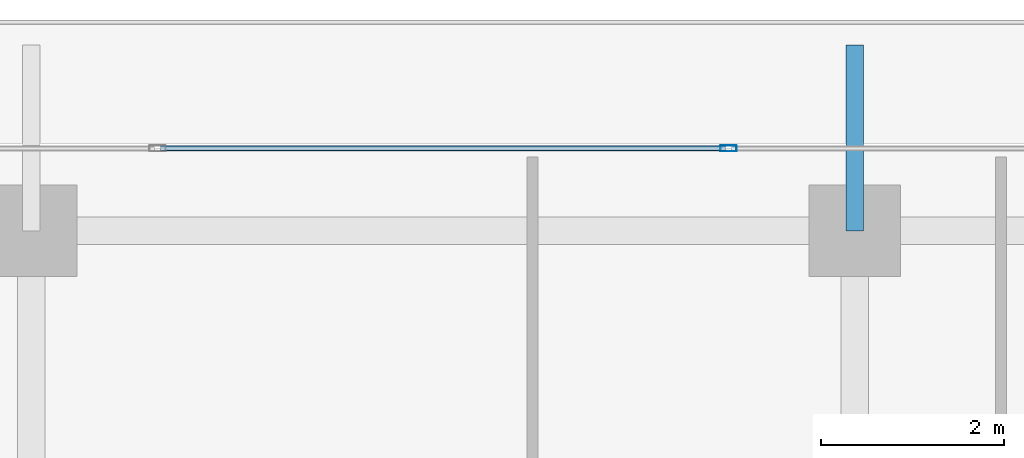
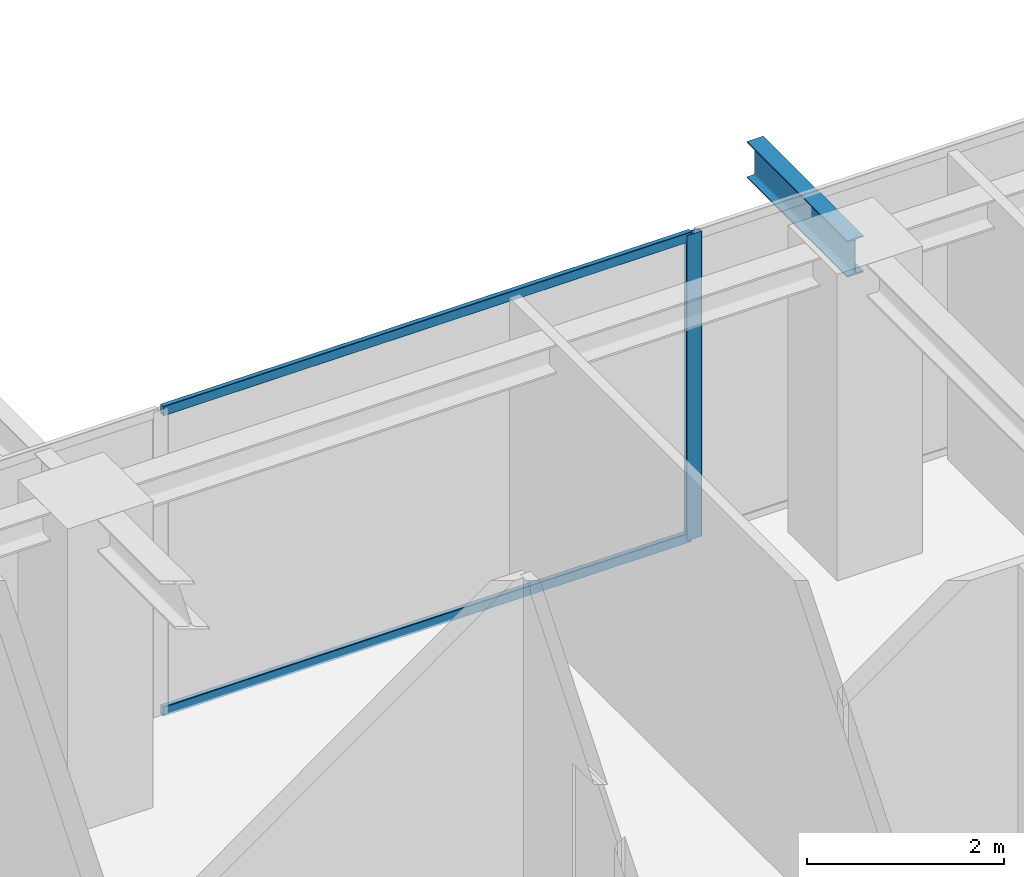
# One storey, part 22 of 38: 3 members, 1 beam, 1 element without a shape of its own.
"""IFC4 building model written with IfcOpenShell, lengths in metres."""

from ifc_helpers import new_model, si_unit, direction, frame, origin, origin_2d, place, context, subcontext, project, spatial, hollow_rectangle, i_section, extrude, source, transform, mapped, material, layer, layer_set, material_profile, profile_set, type_object, element, aggregate, save


model = new_model("IFC4")

# Units and contexts
model_context = context("Model", 3, precision=1e-05, world=origin(), true_north=direction((0.0, 1.0)))
body_context = subcontext(model_context, "Body", "Model", "MODEL_VIEW")
ifc_project = project(units=[si_unit("LENGTHUNIT", "METRE"), si_unit("AREAUNIT", "SQUARE_METRE"), si_unit("VOLUMEUNIT", "CUBIC_METRE"), si_unit("PLANEANGLEUNIT", "RADIAN"), si_unit("MASSUNIT", "GRAM", prefix="KILO")], contexts=[model_context])

# Site, building, storey
site_placement = place(None, origin())
site = spatial("IfcSite", under=ifc_project, at=site_placement, CompositionType="ELEMENT")
building_placement = place(site_placement, origin())
building = spatial("IfcBuilding", under=site, at=building_placement, Name="Serunith Strait Residences", CompositionType="ELEMENT")
storey_placement = place(building_placement, frame((0.0, 0.0, 321.800048828125)))
storey = spatial("IfcBuildingStorey", under=building, at=storey_placement, Name="L80", CompositionType="ELEMENT", Elevation=321.800048828125)

# Beam
ifc_material_1 = material(Name="Steel S355J2", Category="steel")
ifc_material_profile_1 = material_profile(ifc_material_1, i_section(OverallWidth=0.18994140625, OverallDepth=0.449951171875, WebThickness=0.009521484375, FlangeThickness=0.0146484375, FilletRadius=0.02099609375, at=origin_2d()), Name="IPE 450")
ifc_profile_set_1 = profile_set([ifc_material_profile_1], Name="Steel S355J2")
beam_type = type_object("IfcBeamType", Name="BM-IPE450", PredefinedType="JOIST", material=ifc_profile_set_1)
shared_shape_1 = source(origin(), body_context, "Body", "SweptSolid", [
    extrude(i_section(OverallWidth=0.18994140625, OverallDepth=0.449951171875, WebThickness=0.009521484375, FlangeThickness=0.0146484375, FilletRadius=0.02099609375, at=origin_2d()), origin(), (0.0, 0.0, 1.0), 2.02978515625),
])
beam_placement = place(storey_placement, frame((36.89990234375, 47.10009765625, 3.531982421875), z_axis=(0.0, 1.0, 0.0), x_axis=(-1.0, 0.0, 0.0)))
element("IfcBeam", 1, at=beam_placement, inside=storey, type_object=beam_type, Name="L81 Cantilevered Balcony Rib TC-N3", PredefinedType="JOIST", context=body_context, shape_type="MappedRepresentation", body=[
    mapped(shared_shape_1, transform((0.0, 0.0, 0.0), scale=1.0)),
])

# Curtain wall, members
ifc_material_2 = material(Name="Brushed Stainless-Silver Aluminium", Category="aluminium")
ifc_layer = layer(ifc_material_2, 0.199951171875, Name="Brushed Stainless-Silver Aluminium")
ifc_layer_set = layer_set([ifc_layer], Name="Brushed Stainless-Silver Aluminium")
curtain_wall_type = type_object("IfcCurtainWallType", Name="CW-SYS5", PredefinedType="NOTDEFINED", material=ifc_layer_set)
curtain_wall_placement = place(storey_placement, origin())
curtain_wall = element("IfcCurtainWall", 2, at=curtain_wall_placement, inside=storey, type_object=curtain_wall_type, Name="L80 N Unitised Fritted Curtain Wall", PredefinedType="NOTDEFINED")
ifc_material_profile_2 = material_profile(ifc_material_2, hollow_rectangle(XDim=0.06005859375, YDim=0.1201171875, WallThickness=0.00341796875, InnerFilletRadius=0.00537109375, OuterFilletRadius=0.0087890625, at=origin_2d()), Name="ALU 120x60x3.5")
ifc_profile_set_2 = profile_set([ifc_material_profile_2], Name="Brushed Stainless-Silver Aluminium")
member_type_1 = type_object("IfcMemberType", Name="CW-SYS5-TRAN", PredefinedType="USERDEFINED", material=ifc_profile_set_2)
shared_shape_2 = source(origin(), body_context, "Body", "SweptSolid", [
    extrude(hollow_rectangle(XDim=0.06005859375, YDim=0.1201171875, WallThickness=0.00341796875, InnerFilletRadius=0.00537109375, OuterFilletRadius=0.0087890625, at=origin_2d()), origin(), (0.0, 0.0, 1.0), 6.175048828125),
])
member_1_placement = place(storey_placement, frame((35.487548828125, 48.0, 0.030029296875), z_axis=(-1.0, 0.0, 0.0), x_axis=(0.0, -1.0, 0.0)))
member_1 = element("IfcMember", 3, at=member_1_placement, type_object=member_type_1, Name="CW-5 transom 3.1", ObjectType="TRANSOM", PredefinedType="USERDEFINED", context=body_context, shape_type="MappedRepresentation", body=[
    mapped(shared_shape_2, transform((0.0, 0.0, 0.0), scale=1.0)),
])
member_2_placement = place(storey_placement, frame((35.487548828125, 48.0, 3.744873046875), z_axis=(-1.0, 0.0, 0.0), x_axis=(0.0, -1.0, 0.0)))
member_2 = element("IfcMember", 4, at=member_2_placement, type_object=member_type_1, Name="CW-5 transom 3.2", ObjectType="TRANSOM", PredefinedType="USERDEFINED", context=body_context, shape_type="MappedRepresentation", body=[
    mapped(shared_shape_2, transform((0.0, 0.0, 0.0), scale=1.0)),
])
ifc_material_profile_3 = material_profile(ifc_material_2, hollow_rectangle(XDim=0.06494140625, YDim=0.179931640625, WallThickness=0.00341796875, InnerFilletRadius=0.00537109375, OuterFilletRadius=0.0087890625, at=origin_2d()), Name="ALU 180x65x3.5")
ifc_profile_set_3 = profile_set([ifc_material_profile_3], Name="Brushed Stainless-Silver Aluminium")
member_type_2 = type_object("IfcMemberType", Name="CW-SYS5-MULL", PredefinedType="MULLION", material=ifc_profile_set_3)
shared_shape_3 = source(origin(), body_context, "Body", "SweptSolid", [
    extrude(hollow_rectangle(XDim=0.06494140625, YDim=0.179931640625, WallThickness=0.00341796875, InnerFilletRadius=0.00537109375, OuterFilletRadius=0.0087890625, at=origin_2d()), origin(), (0.0, 0.0, 1.0), 3.77490234375),
])
member_3_placement = place(storey_placement, frame((35.52001953125, 48.0, 0.0), z_axis=(0.0, 0.0, 1.0), x_axis=(0.0, -1.0, 0.0)))
member_3 = element("IfcMember", 5, at=member_3_placement, type_object=member_type_2, Name="CW-5 mullion 3", PredefinedType="MULLION", context=body_context, shape_type="MappedRepresentation", body=[
    mapped(shared_shape_3, transform((0.0, 0.0, 0.0), scale=1.0)),
])
aggregate(curtain_wall, [member_3, member_1, member_2])

save(model, "model.ifc")
